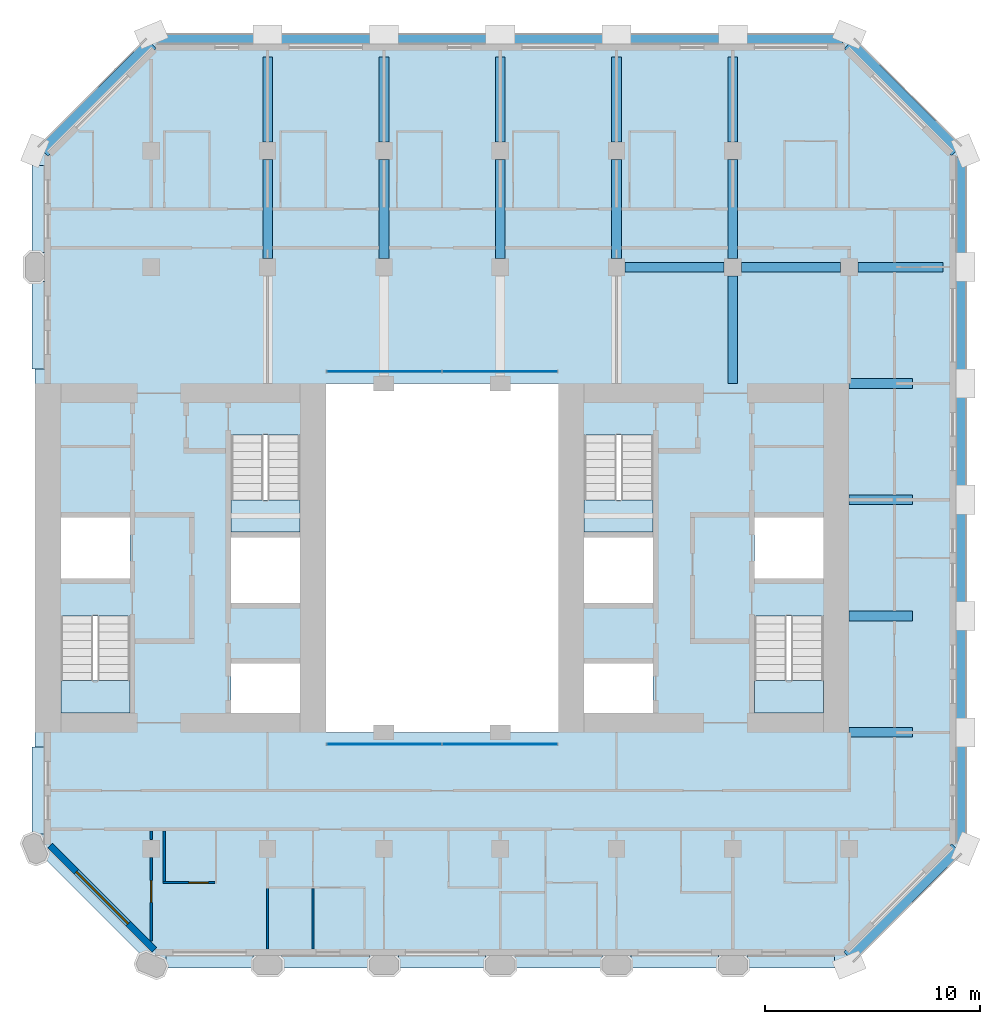
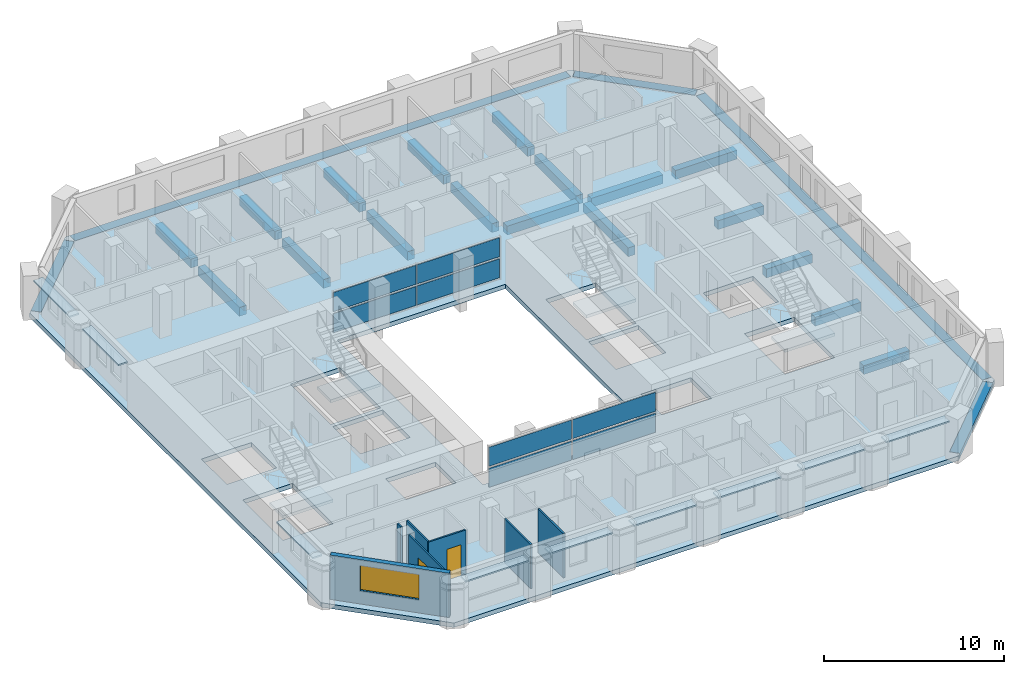
# One storey, part 3 of 12: 23 beams, 17 plates, 7 walls, 5 slabs, 2 doors, 1 window, 3 openings, 6 elements without a shape of their own.
"""IFC4 building model written with IfcOpenShell, lengths in metres."""

from ifc_helpers import new_model, si_unit, direction, frame, frame_2d, origin, origin_2d, place, context, subcontext, project, spatial, polyline, rectangle, outline, extrude, material, layer, layer_set, material_profile, profile_set, type_object, element, fill, aggregate, save


model = new_model("IFC4")

# Units and contexts
model_context = context("Model", 3, precision=1e-05, world=origin(), true_north=direction((0.0, 1.0)))
body_context = subcontext(model_context, "Body", "Model", "MODEL_VIEW")
ifc_project = project(units=[si_unit("LENGTHUNIT", "METRE"), si_unit("AREAUNIT", "SQUARE_METRE"), si_unit("VOLUMEUNIT", "CUBIC_METRE"), si_unit("PLANEANGLEUNIT", "RADIAN"), si_unit("MASSUNIT", "GRAM", prefix="KILO")], contexts=[model_context])

# Site, building, storey
site_placement = place(None, origin())
site = spatial("IfcSite", under=ifc_project, at=site_placement, CompositionType="ELEMENT")
building_placement = place(site_placement, origin())
building = spatial("IfcBuilding", under=site, at=building_placement, Name="Tabaq Tower and Sports Hall", CompositionType="ELEMENT")
storey_placement = place(building_placement, frame((0.0, 0.0, 187.300048828125)))
storey = spatial("IfcBuildingStorey", under=building, at=storey_placement, Name="L45", CompositionType="ELEMENT", Elevation=187.300048828125)

# Beams
ifc_material_1 = material(Name="Concrete C40/50", Category="concrete")
ifc_material_profile_1 = material_profile(ifc_material_1, rectangle(XDim=0.449951171875, YDim=0.60009765625, at=origin_2d()), Name="CB 450x600")
ifc_profile_set_1 = profile_set([ifc_material_profile_1], Name="Concrete C40/50")
beam_type_1 = type_object("IfcBeamType", Name="PT CANTILEVER BEAM CB 450x600 C40/50", PredefinedType="BEAM", material=ifc_profile_set_1)
for number, where, z_axis, x_axis, name in (
    (1, (46.14990234375, 16.199951171875, -0.60009765625), (-1.0, 0.0, 0.0), (0.0, -1.0, 0.0), "Cantilever Beam L45 E3 span 1"),
    (2, (46.14990234375, 21.60009765625, -0.60009765625), (-1.0, 0.0, 0.0), (0.0, -1.0, 0.0), "Cantilever Beam L45 E4 span 1"),
    (3, (46.14990234375, 27.0, -0.60009765625), (-1.0, 0.0, 0.0), (0.0, -1.0, 0.0), "Cantilever Beam L45 E5 span 1"),
    (4, (46.14990234375, 32.39990234375, -0.60009765625), (-1.0, 0.0, 0.0), (0.0, -1.0, 0.0), "Cantilever Beam L45 E6 span 1"),
):
    element("IfcBeam", number, at=place(storey_placement, frame(where, z_axis=z_axis, x_axis=x_axis)), inside=storey, type_object=beam_type_1, Name=name, PredefinedType="BEAM", context=body_context, shape_type="SweptSolid", body=[
        extrude(rectangle(XDim=0.449951171875, YDim=0.60009765625, at=origin_2d()), origin(), (0.0, 0.0, 1.0), 2.949951171875),
    ])
beam_1_placement = place(storey_placement, frame((47.550048828125, 37.800048828125, -0.60009765625), z_axis=(-1.0, 0.0, 0.0), x_axis=(0.0, -1.0, 0.0)))
element("IfcBeam", 5, at=beam_1_placement, inside=storey, type_object=beam_type_1, Name="Cantilever Beam L45 E7 span 1", PredefinedType="BEAM", context=body_context, shape_type="SweptSolid", body=[
    extrude(rectangle(XDim=0.449951171875, YDim=0.60009765625, at=origin_2d()), origin(), (0.0, 0.0, 1.0), 3.949951171875),
])
beam_2_placement = place(storey_placement, frame((42.800048828125, 37.800048828125, -0.60009765625), z_axis=(-1.0, 0.0, 0.0), x_axis=(0.0, -1.0, 0.0)))
element("IfcBeam", 6, at=beam_2_placement, inside=storey, type_object=beam_type_1, Name="Cantilever Beam L45 E7 span 2", PredefinedType="BEAM", context=body_context, shape_type="SweptSolid", body=[
    extrude(rectangle(XDim=0.449951171875, YDim=0.60009765625, at=origin_2d()), origin(), (0.0, 0.0, 1.0), 4.60009765625),
])
beam_3_placement = place(storey_placement, frame((37.39990234375, 37.800048828125, -0.60009765625), z_axis=(-1.0, 0.0, 0.0), x_axis=(0.0, -1.0, 0.0)))
element("IfcBeam", 7, at=beam_3_placement, inside=storey, type_object=beam_type_1, Name="Cantilever Beam L45 E7 span 3", PredefinedType="BEAM", context=body_context, shape_type="SweptSolid", body=[
    extrude(rectangle(XDim=0.449951171875, YDim=0.60009765625, at=origin_2d()), origin(), (0.0, 0.0, 1.0), 4.599853515625),
])
beam_4_placement = place(storey_placement, frame((16.199951171875, 47.550048828125, -0.60009765625), z_axis=(0.0, -1.0, 0.0), x_axis=(1.0, 0.0, 0.0)))
element("IfcBeam", 8, at=beam_4_placement, inside=storey, type_object=beam_type_1, Name="Cantilever Beam L45 N3 span 1", PredefinedType="BEAM", context=body_context, shape_type="SweptSolid", body=[
    extrude(rectangle(XDim=0.449951171875, YDim=0.60009765625, at=origin_2d()), origin(), (0.0, 0.0, 1.0), 3.949951171875),
])
beam_5_placement = place(storey_placement, frame((16.199951171875, 42.800048828125, -0.60009765625), z_axis=(0.0, -1.0, 0.0), x_axis=(1.0, 0.0, 0.0)))
element("IfcBeam", 9, at=beam_5_placement, inside=storey, type_object=beam_type_1, Name="Cantilever Beam L45 N3 span 2", PredefinedType="BEAM", context=body_context, shape_type="SweptSolid", body=[
    extrude(rectangle(XDim=0.449951171875, YDim=0.60009765625, at=origin_2d()), origin(), (0.0, 0.0, 1.0), 4.60009765625),
])
beam_6_placement = place(storey_placement, frame((21.60009765625, 47.550048828125, -0.60009765625), z_axis=(0.0, -1.0, 0.0), x_axis=(1.0, 0.0, 0.0)))
element("IfcBeam", 10, at=beam_6_placement, inside=storey, type_object=beam_type_1, Name="Cantilever Beam L45 N4 span 1", PredefinedType="BEAM", context=body_context, shape_type="SweptSolid", body=[
    extrude(rectangle(XDim=0.449951171875, YDim=0.60009765625, at=origin_2d()), origin(), (0.0, 0.0, 1.0), 3.949951171875),
])
beam_7_placement = place(storey_placement, frame((21.60009765625, 42.800048828125, -0.60009765625), z_axis=(0.0, -1.0, 0.0), x_axis=(1.0, 0.0, 0.0)))
element("IfcBeam", 11, at=beam_7_placement, inside=storey, type_object=beam_type_1, Name="Cantilever Beam L45 N4 span 2", PredefinedType="BEAM", context=body_context, shape_type="SweptSolid", body=[
    extrude(rectangle(XDim=0.449951171875, YDim=0.60009765625, at=origin_2d()), origin(), (0.0, 0.0, 1.0), 4.60009765625),
])
beam_8_placement = place(storey_placement, frame((27.0, 47.550048828125, -0.60009765625), z_axis=(0.0, -1.0, 0.0), x_axis=(1.0, 0.0, 0.0)))
element("IfcBeam", 12, at=beam_8_placement, inside=storey, type_object=beam_type_1, Name="Cantilever Beam L45 N5 span 1", PredefinedType="BEAM", context=body_context, shape_type="SweptSolid", body=[
    extrude(rectangle(XDim=0.449951171875, YDim=0.60009765625, at=origin_2d()), origin(), (0.0, 0.0, 1.0), 3.949951171875),
])
beam_9_placement = place(storey_placement, frame((27.0, 42.800048828125, -0.60009765625), z_axis=(0.0, -1.0, 0.0), x_axis=(1.0, 0.0, 0.0)))
element("IfcBeam", 13, at=beam_9_placement, inside=storey, type_object=beam_type_1, Name="Cantilever Beam L45 N5 span 2", PredefinedType="BEAM", context=body_context, shape_type="SweptSolid", body=[
    extrude(rectangle(XDim=0.449951171875, YDim=0.60009765625, at=origin_2d()), origin(), (0.0, 0.0, 1.0), 4.60009765625),
])
beam_10_placement = place(storey_placement, frame((32.39990234375, 47.550048828125, -0.60009765625), z_axis=(0.0, -1.0, 0.0), x_axis=(1.0, 0.0, 0.0)))
element("IfcBeam", 14, at=beam_10_placement, inside=storey, type_object=beam_type_1, Name="Cantilever Beam L45 N6 span 1", PredefinedType="BEAM", context=body_context, shape_type="SweptSolid", body=[
    extrude(rectangle(XDim=0.449951171875, YDim=0.60009765625, at=origin_2d()), origin(), (0.0, 0.0, 1.0), 3.949951171875),
])
beam_11_placement = place(storey_placement, frame((32.39990234375, 42.800048828125, -0.60009765625), z_axis=(0.0, -1.0, 0.0), x_axis=(1.0, 0.0, 0.0)))
element("IfcBeam", 15, at=beam_11_placement, inside=storey, type_object=beam_type_1, Name="Cantilever Beam L45 N6 span 2", PredefinedType="BEAM", context=body_context, shape_type="SweptSolid", body=[
    extrude(rectangle(XDim=0.449951171875, YDim=0.60009765625, at=origin_2d()), origin(), (0.0, 0.0, 1.0), 4.60009765625),
])
beam_12_placement = place(storey_placement, frame((37.800048828125, 47.550048828125, -0.60009765625), z_axis=(0.0, -1.0, 0.0), x_axis=(1.0, 0.0, 0.0)))
element("IfcBeam", 16, at=beam_12_placement, inside=storey, type_object=beam_type_1, Name="Cantilever Beam L45 N7 span 1", PredefinedType="BEAM", context=body_context, shape_type="SweptSolid", body=[
    extrude(rectangle(XDim=0.449951171875, YDim=0.60009765625, at=origin_2d()), origin(), (0.0, 0.0, 1.0), 3.949951171875),
])
beam_13_placement = place(storey_placement, frame((37.800048828125, 42.800048828125, -0.60009765625), z_axis=(0.0, -1.0, 0.0), x_axis=(1.0, 0.0, 0.0)))
element("IfcBeam", 17, at=beam_13_placement, inside=storey, type_object=beam_type_1, Name="Cantilever Beam L45 N7 span 2", PredefinedType="BEAM", context=body_context, shape_type="SweptSolid", body=[
    extrude(rectangle(XDim=0.449951171875, YDim=0.60009765625, at=origin_2d()), origin(), (0.0, 0.0, 1.0), 4.60009765625),
])
beam_14_placement = place(storey_placement, frame((37.800048828125, 37.39990234375, -0.60009765625), z_axis=(0.0, -1.0, 0.0), x_axis=(1.0, 0.0, 0.0)))
element("IfcBeam", 18, at=beam_14_placement, inside=storey, type_object=beam_type_1, Name="Cantilever Beam L45 N7 span 3", PredefinedType="BEAM", context=body_context, shape_type="SweptSolid", body=[
    extrude(rectangle(XDim=0.449951171875, YDim=0.60009765625, at=origin_2d()), origin(), (0.0, 0.0, 1.0), 5.0),
])
ifc_material_2 = material(Name="Concrete C40/50", Category="concrete")
ifc_material_profile_2 = material_profile(ifc_material_2, rectangle(XDim=0.60009765625, YDim=0.300048828125, at=origin_2d()), Name="EB 600x300")
ifc_profile_set_2 = profile_set([ifc_material_profile_2], Name="Concrete C40/50")
beam_type_2 = type_object("IfcBeamType", Name="PT EDGE BEAM EB 600x300 C40/50", PredefinedType="SPANDREL", material=ifc_profile_set_2)
beam_15_placement = place(storey_placement, frame((43.16455078125, 5.788818359375, -0.150146484375), z_axis=(0.707106781187, 0.707106781187, 0.0), x_axis=(-0.707106781187, 0.707106781187, 0.0)))
element("IfcBeam", 19, at=beam_15_placement, inside=storey, type_object=beam_type_2, Name="Edge Beam L45 1", PredefinedType="SPANDREL", context=body_context, shape_type="SweptSolid", body=[
    extrude(rectangle(XDim=0.60009765625, YDim=0.300048828125, at=origin_2d()), origin(), (0.0, 0.0, 1.0), 7.08837890625),
])
beam_16_placement = place(storey_placement, frame((48.300048828125, 11.0986328125, -0.150146484375), z_axis=(0.0, 1.0, 0.0), x_axis=(-1.0, 0.0, 0.0)))
element("IfcBeam", 20, at=beam_16_placement, inside=storey, type_object=beam_type_2, Name="Edge Beam L45 2", PredefinedType="SPANDREL", context=body_context, shape_type="SweptSolid", body=[
    extrude(rectangle(XDim=0.60009765625, YDim=0.300048828125, at=origin_2d()), origin(), (0.0, 0.0, 1.0), 31.802734375),
])
beam_17_placement = place(storey_placement, frame((48.1767578125, 43.198974609375, -0.150146484375), z_axis=(-0.707106781187, 0.707106781187, 0.0), x_axis=(-0.707106781187, -0.707106781187, 0.0)))
element("IfcBeam", 21, at=beam_17_placement, inside=storey, type_object=beam_type_2, Name="Edge Beam L45 3", PredefinedType="SPANDREL", context=body_context, shape_type="SweptSolid", body=[
    extrude(rectangle(XDim=0.60009765625, YDim=0.300048828125, at=origin_2d()), origin(), (0.0, 0.0, 1.0), 7.03955078125),
])
beam_18_placement = place(storey_placement, frame((42.9013671875, 48.300048828125, -0.150146484375), z_axis=(-1.0, 0.0, 0.0), x_axis=(0.0, -1.0, 0.0)))
element("IfcBeam", 22, at=beam_18_placement, inside=storey, type_object=beam_type_2, Name="Edge Beam L45 4", PredefinedType="SPANDREL", context=body_context, shape_type="SweptSolid", body=[
    extrude(rectangle(XDim=0.60009765625, YDim=0.300048828125, at=origin_2d()), origin(), (0.0, 0.0, 1.0), 31.802734375),
])
beam_19_placement = place(storey_placement, frame((10.801025390625, 48.1767578125, -0.150146484375), z_axis=(-0.707106781187, -0.707106781187, 0.0), x_axis=(0.707106781187, -0.707106781187, 0.0)))
element("IfcBeam", 23, at=beam_19_placement, inside=storey, type_object=beam_type_2, Name="Edge Beam L45 5", PredefinedType="SPANDREL", context=body_context, shape_type="SweptSolid", body=[
    extrude(rectangle(XDim=0.60009765625, YDim=0.300048828125, at=origin_2d()), origin(), (0.0, 0.0, 1.0), 7.08837890625),
])

# Curtain wall, plates
ifc_material_3 = material(Name="Aluminium alloy 6063-T6 framed glazing", Category="aluminium")
curtain_wall_type = type_object("IfcCurtainWallType", Name="CW1 curtain wall", PredefinedType="USERDEFINED", material=ifc_material_3)
curtain_wall_1_placement = place(storey_placement, origin())
curtain_wall_1 = element("IfcCurtainWall", 24, at=curtain_wall_1_placement, inside=storey, type_object=curtain_wall_type, Name="Atrium glazing L45 S", ObjectType="ATRIUM ENCLOSURE", PredefinedType="USERDEFINED")
ifc_material_4 = material(Name="Clear low-emissivity glass 28 mm", Category="glass")
ifc_layer_1 = layer(ifc_material_4, 0.028076171875)
ifc_layer_set_1 = layer_set([ifc_layer_1], Name="CW1 glass panel 28")
plate_type_1 = type_object("IfcPlateType", Name="CW1 glass panel 28", PredefinedType="CURTAIN_PANEL", material=ifc_layer_set_1)
plate_1_placement = place(storey_placement, frame((21.614990234375, 15.64990234375, 0.139892578125), z_axis=(0.0, 0.0, 1.0), x_axis=(1.0, 0.0, 0.0)))
plate_1 = element("IfcPlate", 25, at=plate_1_placement, type_object=plate_type_1, Name="CW1 panel 1.1", PredefinedType="CURTAIN_PANEL", context=body_context, shape_type="SweptSolid", body=[
    extrude(rectangle(XDim=5.31005859375, YDim=0.028076171875, at=origin_2d()), origin(), (0.0, 0.0, 1.0), 1.2900390625),
])
plate_2_placement = place(storey_placement, frame((21.614990234375, 15.64990234375, 1.56982421875), z_axis=(0.0, 0.0, 1.0), x_axis=(1.0, 0.0, 0.0)))
plate_2 = element("IfcPlate", 26, at=plate_2_placement, type_object=plate_type_1, Name="CW1 panel 1.2", PredefinedType="CURTAIN_PANEL", context=body_context, shape_type="SweptSolid", body=[
    extrude(rectangle(XDim=5.31005859375, YDim=0.028076171875, at=origin_2d()), origin(), (0.0, 0.0, 1.0), 1.2900390625),
])
plate_3_placement = place(storey_placement, frame((26.985107421875, 15.64990234375, 0.139892578125), z_axis=(0.0, 0.0, 1.0), x_axis=(1.0, 0.0, 0.0)))
plate_3 = element("IfcPlate", 27, at=plate_3_placement, type_object=plate_type_1, Name="CW1 panel 2.1", PredefinedType="CURTAIN_PANEL", context=body_context, shape_type="SweptSolid", body=[
    extrude(rectangle(XDim=5.31005859375, YDim=0.028076171875, at=origin_2d()), origin(), (0.0, 0.0, 1.0), 1.2900390625),
])
plate_4_placement = place(storey_placement, frame((26.985107421875, 15.64990234375, 1.56982421875), z_axis=(0.0, 0.0, 1.0), x_axis=(1.0, 0.0, 0.0)))
plate_4 = element("IfcPlate", 28, at=plate_4_placement, type_object=plate_type_1, Name="CW1 panel 2.2", PredefinedType="CURTAIN_PANEL", context=body_context, shape_type="SweptSolid", body=[
    extrude(rectangle(XDim=5.31005859375, YDim=0.028076171875, at=origin_2d()), origin(), (0.0, 0.0, 1.0), 1.2900390625),
])
aggregate(curtain_wall_1, [plate_1, plate_2, plate_3, plate_4])

curtain_wall_2_placement = place(storey_placement, origin())
curtain_wall_2 = element("IfcCurtainWall", 29, at=curtain_wall_2_placement, inside=storey, type_object=curtain_wall_type, Name="Atrium glazing L45 N", ObjectType="ATRIUM ENCLOSURE", PredefinedType="USERDEFINED")
plate_5_placement = place(storey_placement, frame((21.614990234375, 32.949951171875, 0.139892578125), z_axis=(0.0, 0.0, 1.0), x_axis=(1.0, 0.0, 0.0)))
plate_5 = element("IfcPlate", 30, at=plate_5_placement, type_object=plate_type_1, Name="CW1 panel 1.1", PredefinedType="CURTAIN_PANEL", context=body_context, shape_type="SweptSolid", body=[
    extrude(rectangle(XDim=5.31005859375, YDim=0.028076171875, at=origin_2d()), origin(), (0.0, 0.0, 1.0), 1.2900390625),
])
plate_6_placement = place(storey_placement, frame((21.614990234375, 32.949951171875, 1.56982421875), z_axis=(0.0, 0.0, 1.0), x_axis=(1.0, 0.0, 0.0)))
plate_6 = element("IfcPlate", 31, at=plate_6_placement, type_object=plate_type_1, Name="CW1 panel 1.2", PredefinedType="CURTAIN_PANEL", context=body_context, shape_type="SweptSolid", body=[
    extrude(rectangle(XDim=5.31005859375, YDim=0.028076171875, at=origin_2d()), origin(), (0.0, 0.0, 1.0), 1.2900390625),
])
plate_7_placement = place(storey_placement, frame((26.985107421875, 32.949951171875, 0.139892578125), z_axis=(0.0, 0.0, 1.0), x_axis=(1.0, 0.0, 0.0)))
plate_7 = element("IfcPlate", 32, at=plate_7_placement, type_object=plate_type_1, Name="CW1 panel 2.1", PredefinedType="CURTAIN_PANEL", context=body_context, shape_type="SweptSolid", body=[
    extrude(rectangle(XDim=5.31005859375, YDim=0.028076171875, at=origin_2d()), origin(), (0.0, 0.0, 1.0), 1.2900390625),
])
plate_8_placement = place(storey_placement, frame((26.985107421875, 32.949951171875, 1.56982421875), z_axis=(0.0, 0.0, 1.0), x_axis=(1.0, 0.0, 0.0)))
plate_8 = element("IfcPlate", 33, at=plate_8_placement, type_object=plate_type_1, Name="CW1 panel 2.2", PredefinedType="CURTAIN_PANEL", context=body_context, shape_type="SweptSolid", body=[
    extrude(rectangle(XDim=5.31005859375, YDim=0.028076171875, at=origin_2d()), origin(), (0.0, 0.0, 1.0), 1.2900390625),
])
aggregate(curtain_wall_2, [plate_5, plate_6, plate_7, plate_8])

# Stair, slab
ifc_material_5 = material(Name="Concrete C40/50", Category="concrete")
stair_type = type_object("IfcStairType", Name="Exit stair", PredefinedType="HALF_TURN_STAIR", material=ifc_material_5)
stair_1_placement = place(storey_placement, origin())
stair_1 = element("IfcStair", 34, at=stair_1_placement, inside=storey, type_object=stair_type, Name="L45 Exit stair ST1", PredefinedType="HALF_TURN_STAIR")
ifc_material_6 = material(Name="Concrete C40/50", Category="concrete")
ifc_layer_2 = layer(ifc_material_6, 0.199951171875)
ifc_layer_set_2 = layer_set([ifc_layer_2], Name="Exit stair landing")
slab_type_1 = type_object("IfcSlabType", Name="Exit stair landing", PredefinedType="LANDING", material=ifc_layer_set_2)
slab_1_placement = place(storey_placement, frame((0.0, 0.0, 1.449951171875)))
slab_1 = element("IfcSlab", 35, at=slab_1_placement, type_object=slab_type_1, Name="ST1 landing 1", PredefinedType="LANDING", context=body_context, shape_type="SweptSolid", body=[
    extrude(outline(polyline([(6.60009765625, 18.60009765625), (6.60009765625, 17.10009765625), (9.800048828125, 17.10009765625), (9.800048828125, 18.60009765625), (6.60009765625, 18.60009765625)])), origin(), (0.0, 0.0, 1.0), 0.199951171875),
])
aggregate(stair_1, [slab_1])

stair_2_placement = place(storey_placement, origin())
stair_2 = element("IfcStair", 36, at=stair_2_placement, inside=storey, type_object=stair_type, Name="L45 Exit stair ST2", PredefinedType="HALF_TURN_STAIR")
slab_2_placement = place(storey_placement, frame((0.0, 0.0, 1.449951171875)))
slab_2 = element("IfcSlab", 37, at=slab_2_placement, type_object=slab_type_1, Name="ST2 landing 1", PredefinedType="LANDING", context=body_context, shape_type="SweptSolid", body=[
    extrude(outline(polyline([(14.5, 27.0), (14.5, 25.5), (17.699951171875, 25.5), (17.699951171875, 27.0), (14.5, 27.0)])), origin(), (0.0, 0.0, 1.0), 0.199951171875),
])
aggregate(stair_2, [slab_2])

stair_3_placement = place(storey_placement, origin())
stair_3 = element("IfcStair", 38, at=stair_3_placement, inside=storey, type_object=stair_type, Name="L45 Exit stair ST3", PredefinedType="HALF_TURN_STAIR")
slab_3_placement = place(storey_placement, frame((0.0, 0.0, 1.449951171875)))
slab_3 = element("IfcSlab", 39, at=slab_3_placement, type_object=slab_type_1, Name="ST3 landing 1", PredefinedType="LANDING", context=body_context, shape_type="SweptSolid", body=[
    extrude(outline(polyline([(38.800048828125, 18.60009765625), (38.800048828125, 17.10009765625), (42.0, 17.10009765625), (42.0, 18.60009765625), (38.800048828125, 18.60009765625)])), origin(), (0.0, 0.0, 1.0), 0.199951171875),
])
aggregate(stair_3, [slab_3])

stair_4_placement = place(storey_placement, origin())
stair_4 = element("IfcStair", 40, at=stair_4_placement, inside=storey, type_object=stair_type, Name="L45 Exit stair ST4", PredefinedType="HALF_TURN_STAIR")
slab_4_placement = place(storey_placement, frame((0.0, 0.0, 1.449951171875)))
slab_4 = element("IfcSlab", 41, at=slab_4_placement, type_object=slab_type_1, Name="ST4 landing 1", PredefinedType="LANDING", context=body_context, shape_type="SweptSolid", body=[
    extrude(outline(polyline([(30.89990234375, 27.0), (30.89990234375, 25.5), (34.10009765625, 25.5), (34.10009765625, 27.0), (30.89990234375, 27.0)])), origin(), (0.0, 0.0, 1.0), 0.199951171875),
])
aggregate(stair_4, [slab_4])

# Slab
ifc_material_7 = material(Name="Concrete C40/50", Category="concrete")
ifc_layer_3 = layer(ifc_material_7, 0.300048828125)
ifc_layer_set_3 = layer_set([ifc_layer_3], Name="PT FLOOR SLAB 300 C40/50")
slab_type_2 = type_object("IfcSlabType", Name="PT FLOOR SLAB 300 C40/50", PredefinedType="FLOOR", material=ifc_layer_set_3)
slab_5_placement = place(storey_placement, frame((0.0, 0.0, -0.300048828125)))
element("IfcSlab", 42, at=slab_5_placement, inside=storey, type_object=slab_type_2, Name="Floor Slab L45", PredefinedType="FLOOR", context=body_context, shape_type="SweptSolid", body=[
    extrude(outline(polyline([(5.39990234375, 43.199951171875), (5.39990234375, 10.800048828125), (10.800048828125, 5.39990234375), (43.199951171875, 5.39990234375), (43.376708984375, 5.57666015625), (42.952392578125, 6.0009765625), (47.964599609375, 11.01318359375), (48.035400390625, 10.9423828125), (48.388916015625, 10.5888671875), (48.60009765625, 10.800048828125), (48.60009765625, 11.0986328125), (48.10009765625, 11.0986328125), (48.0, 11.0986328125), (48.0, 42.9013671875), (48.10009765625, 42.9013671875), (48.60009765625, 42.9013671875), (48.60009765625, 43.199951171875), (48.388916015625, 43.4111328125), (48.035400390625, 43.0576171875), (47.964599609375, 42.98681640625), (42.98681640625, 47.964599609375), (43.0576171875, 48.035400390625), (43.4111328125, 48.388916015625), (43.199951171875, 48.60009765625), (42.9013671875, 48.60009765625), (42.9013671875, 48.10009765625), (42.9013671875, 48.0), (11.0986328125, 48.0), (11.0986328125, 48.10009765625), (11.0986328125, 48.60009765625), (10.800048828125, 48.60009765625), (10.5888671875, 48.388916015625), (10.9423828125, 48.035400390625), (11.01318359375, 47.964599609375), (6.0009765625, 42.952392578125), (5.57666015625, 43.376708984375), (5.39990234375, 43.199951171875)]), holes=[polyline([(14.5, 19.39990234375), (17.699951171875, 19.39990234375), (17.699951171875, 17.10009765625), (14.5, 17.10009765625), (14.5, 19.39990234375)]), polyline([(6.60009765625, 21.599365234375), (9.800048828125, 21.599365234375), (9.800048828125, 17.10009765625), (6.60009765625, 17.10009765625), (6.60009765625, 21.599365234375)]), polyline([(14.5, 25.25), (17.699951171875, 25.25), (17.699951171875, 22.199951171875), (14.5, 22.199951171875), (14.5, 25.25)]), polyline([(18.89990234375, 32.39990234375), (29.699951171875, 32.39990234375), (29.699951171875, 16.199951171875), (18.89990234375, 16.199951171875), (18.89990234375, 32.39990234375)]), polyline([(9.800048828125, 26.175048828125), (9.800048828125, 23.35009765625), (6.60009765625, 23.35009765625), (6.60009765625, 26.175048828125), (9.800048828125, 26.175048828125)]), polyline([(14.5, 29.99951171875), (17.699951171875, 29.99951171875), (17.699951171875, 25.5), (14.5, 25.5), (14.5, 29.99951171875)]), polyline([(34.10009765625, 19.39990234375), (34.10009765625, 17.10009765625), (30.89990234375, 17.10009765625), (30.89990234375, 19.39990234375), (34.10009765625, 19.39990234375)]), polyline([(42.0, 21.599365234375), (42.0, 17.10009765625), (38.800048828125, 17.10009765625), (38.800048828125, 21.599365234375), (42.0, 21.599365234375)]), polyline([(30.89990234375, 25.25), (34.10009765625, 25.25), (34.10009765625, 22.199951171875), (30.89990234375, 22.199951171875), (30.89990234375, 25.25)]), polyline([(42.0, 26.175048828125), (42.0, 23.35009765625), (38.800048828125, 23.35009765625), (38.800048828125, 26.175048828125), (42.0, 26.175048828125)]), polyline([(34.10009765625, 29.99951171875), (34.10009765625, 25.5), (30.89990234375, 25.5), (30.89990234375, 29.99951171875), (34.10009765625, 29.99951171875)])]), origin(), (0.0, 0.0, 1.0), 0.300048828125),
])

# Plates
ifc_material_8 = material(Name="White precast concrete C60/75 blade", Category="concrete")
ifc_layer_4 = layer(ifc_material_8, 0.10009765625)
ifc_layer_set_4 = layer_set([ifc_layer_4], Name="White precast concrete C60/75 sunshade 100")
plate_type_2 = type_object("IfcPlateType", Name="White precast concrete C60/75 sunshade 100", PredefinedType="USERDEFINED", material=ifc_layer_set_4)
for number, where, z_axis, x_axis, name in (
    (43, (13.5, 5.550048828125, 2.599853515625), (0.0, 0.0, 1.0), (1.0, 0.0, 0.0), "Sunshade L45 S"),
    (44, (18.89990234375, 5.550048828125, 2.599853515625), (0.0, 0.0, 1.0), (1.0, 0.0, 0.0), "Sunshade L45 S"),
    (45, (24.300048828125, 5.550048828125, 2.599853515625), (0.0, 0.0, 1.0), (1.0, 0.0, 0.0), "Sunshade L45 S"),
    (46, (29.699951171875, 5.550048828125, 2.599853515625), (0.0, 0.0, 1.0), (1.0, 0.0, 0.0), "Sunshade L45 S"),
    (47, (35.10009765625, 5.550048828125, 2.599853515625), (0.0, 0.0, 1.0), (1.0, 0.0, 0.0), "Sunshade L45 S"),
    (48, (40.5, 5.550048828125, 2.599853515625), (0.0, 0.0, 1.0), (1.0, 0.0, 0.0), "Sunshade L45 S"),
    (49, (5.550048828125, 40.5, 2.599853515625), (0.0, 0.0, 1.0), (0.0, -1.0, 0.0), "Sunshade L45 W"),
    (50, (5.550048828125, 35.10009765625, 2.599853515625), (0.0, 0.0, 1.0), (0.0, -1.0, 0.0), "Sunshade L45 W"),
    (51, (5.550048828125, 13.5, 2.599853515625), (0.0, 0.0, 1.0), (0.0, -1.0, 0.0), "Sunshade L45 W"),
):
    element("IfcPlate", number, at=place(storey_placement, frame(where, z_axis=z_axis, x_axis=x_axis)), inside=storey, type_object=plate_type_2, Name=name, ObjectType="SUNSHADE", PredefinedType="USERDEFINED", context=body_context, shape_type="SweptSolid", body=[
        extrude(rectangle(XDim=4.050048828125, YDim=0.60009765625, at=origin_2d()), origin(), (0.0, 0.0, 1.0), 0.10009765625),
    ])

# Wall
ifc_material_9 = material(Name="Gypsum board on steel studs", Category="steel")
ifc_layer_5 = layer(ifc_material_9, 0.10009765625)
ifc_layer_set_5 = layer_set([ifc_layer_5], Name="Partition 100 Gypsum board")
wall_type_1 = type_object("IfcWallType", Name="Partition 100 Gypsum board", PredefinedType="PARTITIONING", material=ifc_layer_set_5)
wall_1_placement = place(storey_placement, frame((16.199951171875, 6.15087890625, 0.0), z_axis=(0.0, 0.0, 1.0), x_axis=(0.0, 1.0, 0.0)))
element("IfcWall", 52, at=wall_1_placement, inside=storey, type_object=wall_type_1, Name="Partition wall L45", PredefinedType="PARTITIONING", context=body_context, shape_type="SweptSolid", body=[
    extrude(rectangle(XDim=2.899169921875, YDim=0.10009765625, at=frame_2d((1.44970703125, 0.0))), origin(), (0.0, 0.0, 1.0), 3.0),
])

# Wall, opening, door
wall_2_placement = place(storey_placement, frame((13.75, 9.22509765625, 0.0), z_axis=(0.0, 0.0, 1.0), x_axis=(-1.0, 0.0, 0.0)))
wall_2 = element("IfcWall", 53, at=wall_2_placement, inside=storey, type_object=wall_type_1, Name="Partition wall L45", PredefinedType="PARTITIONING", context=body_context, shape_type="SweptSolid", body=[
    extrude(rectangle(XDim=2.39990234375, YDim=0.10009765625, at=frame_2d((1.199951171875, 0.0))), origin(), (0.0, 0.0, 1.0), 3.0),
])
opening_1_placement = place(wall_2_placement, frame((0.300048828125, 0.0, 0.0)))
opening_1 = element("IfcOpeningElement", 54, at=opening_1_placement, cuts=wall_2, Name="Opening L45-012", PredefinedType="OPENING", context=body_context, shape_type="SweptSolid", body=[
    extrude(rectangle(XDim=0.89990234375, YDim=2.10009765625, at=frame_2d((0.449951171875, 1.050048828125))), frame((0.0, 0.050048828125, 0.0), z_axis=(0.0, -1.0, 0.0), x_axis=(1.0, 0.0, 0.0)), (0.0, 0.0, 1.0), 0.10009765625),
])
ifc_material_10 = material(Name="Timber leaf in steel frame", Category="steel")
door_type_1 = type_object("IfcDoorType", Name="Internal door 900 right hand", OperationType="SINGLE_SWING_RIGHT", PredefinedType="DOOR", material=ifc_material_10)
door_1_placement = place(opening_1_placement, origin())
door_1 = element("IfcDoor", 55, at=door_1_placement, inside=storey, type_object=door_type_1, Name="Internal door L45-012", OperationType="SINGLE_SWING_RIGHT", OverallHeight=2.10009765625, OverallWidth=0.89990234375, PredefinedType="DOOR", context=body_context, shape_type="SweptSolid", body=[
    extrude(rectangle(XDim=0.89990234375, YDim=2.10009765625, at=frame_2d((0.449951171875, 1.050048828125))), frame((0.0, 0.02490234375, 0.0), z_axis=(0.0, -1.0, 0.0), x_axis=(1.0, 0.0, 0.0)), (0.0, 0.0, 1.0), 0.050048828125),
])
fill(opening_1, door_1)

# Walls
wall_3_placement = place(storey_placement, frame((11.39990234375, 9.27490234375, 0.0), z_axis=(0.0, 0.0, 1.0), x_axis=(0.0, 1.0, 0.0)))
element("IfcWall", 56, at=wall_3_placement, inside=storey, type_object=wall_type_1, Name="Partition wall L45", PredefinedType="PARTITIONING", context=body_context, shape_type="SweptSolid", body=[
    extrude(rectangle(XDim=2.35009765625, YDim=0.10009765625, at=frame_2d((1.175048828125, 0.0))), origin(), (0.0, 0.0, 1.0), 3.0),
])
wall_4_placement = place(storey_placement, frame((10.800048828125, 11.625, 0.0), z_axis=(0.0, 0.0, 1.0), x_axis=(0.0, -1.0, 0.0)))
element("IfcWall", 57, at=wall_4_placement, inside=storey, type_object=wall_type_1, Name="Partition wall L45", PredefinedType="PARTITIONING", context=body_context, shape_type="SweptSolid", body=[
    extrude(rectangle(XDim=0.405029296875, YDim=0.10009765625, at=frame_2d((0.20263671875, 0.0))), origin(), (0.0, 0.0, 1.0), 3.0),
])

# Wall, opening, door
wall_5_placement = place(storey_placement, frame((10.800048828125, 10.3798828125, 0.0), z_axis=(0.0, 0.0, 1.0), x_axis=(0.0, -1.0, 0.0)))
wall_5 = element("IfcWall", 58, at=wall_5_placement, inside=storey, type_object=wall_type_1, Name="Partition wall L45", PredefinedType="PARTITIONING", context=body_context, shape_type="SweptSolid", body=[
    extrude(rectangle(XDim=3.86767578125, YDim=0.10009765625, at=frame_2d((1.933837890625, 0.0))), origin(), (0.0, 0.0, 1.0), 3.0),
])
opening_2_placement = place(wall_5_placement, frame((1.0673828125, 0.0, 0.0)))
opening_2 = element("IfcOpeningElement", 59, at=opening_2_placement, cuts=wall_5, Name="Opening L45-033", PredefinedType="OPENING", context=body_context, shape_type="SweptSolid", body=[
    extrude(rectangle(XDim=1.0, YDim=2.10009765625, at=frame_2d((0.5, 1.050048828125))), frame((0.0, 0.050048828125, 0.0), z_axis=(0.0, -1.0, 0.0), x_axis=(1.0, 0.0, 0.0)), (0.0, 0.0, 1.0), 0.10009765625),
])
ifc_material_11 = material(Name="Timber leaf in steel frame", Category="steel")
door_type_2 = type_object("IfcDoorType", Name="Internal door 1000 right hand", OperationType="SINGLE_SWING_RIGHT", PredefinedType="DOOR", material=ifc_material_11)
door_2_placement = place(opening_2_placement, origin())
door_2 = element("IfcDoor", 60, at=door_2_placement, inside=storey, type_object=door_type_2, Name="Internal door L45-033", OperationType="SINGLE_SWING_RIGHT", OverallHeight=2.10009765625, OverallWidth=1.0, PredefinedType="DOOR", context=body_context, shape_type="SweptSolid", body=[
    extrude(rectangle(XDim=1.0, YDim=2.10009765625, at=frame_2d((0.5, 1.050048828125))), frame((0.0, 0.02490234375, 0.0), z_axis=(0.0, -1.0, 0.0), x_axis=(1.0, 0.0, 0.0)), (0.0, 0.0, 1.0), 0.050048828125),
])
fill(opening_2, door_2)

# Wall
wall_6_placement = place(storey_placement, frame((18.300048828125, 8.949951171875, 0.0), z_axis=(0.0, 0.0, 1.0), x_axis=(0.0, -1.0, 0.0)))
element("IfcWall", 61, at=wall_6_placement, inside=storey, type_object=wall_type_1, Name="Partition wall L45", PredefinedType="PARTITIONING", context=body_context, shape_type="SweptSolid", body=[
    extrude(rectangle(XDim=2.799072265625, YDim=0.10009765625, at=frame_2d((1.3994140625, 0.0))), origin(), (0.0, 0.0, 1.0), 3.0),
])

# Wall, opening, window
ifc_material_12 = material(Name="White precast concrete C60/75", Category="concrete")
ifc_layer_6 = layer(ifc_material_12, 0.300048828125)
ifc_layer_set_6 = layer_set([ifc_layer_6], Name="White precast concrete C60/75 external wall 300")
wall_type_2 = type_object("IfcWallType", Name="White precast concrete C60/75 external wall 300", PredefinedType="SOLIDWALL", material=ifc_layer_set_6)
wall_7_placement = place(storey_placement, frame((6.098876953125, 10.949462890625, 0.0), z_axis=(0.0, 0.0, 1.0), x_axis=(0.707106781187, -0.707106781187, 0.0)))
wall_7 = element("IfcWall", 62, at=wall_7_placement, inside=storey, type_object=wall_type_2, Name="External Wall L45 SW", PredefinedType="SOLIDWALL", context=body_context, shape_type="SweptSolid", body=[
    extrude(rectangle(XDim=6.85986328125, YDim=0.300048828125, at=frame_2d((3.429931640625, 0.0))), origin(), (0.0, 0.0, 1.0), 3.0),
])
opening_3_placement = place(wall_7_placement, frame((1.729736328125, 0.0, 0.89990234375)))
opening_3 = element("IfcOpeningElement", 63, at=opening_3_placement, cuts=wall_7, Name="Opening W1A", PredefinedType="OPENING", context=body_context, shape_type="SweptSolid", body=[
    extrude(rectangle(XDim=3.39990234375, YDim=1.699951171875, at=frame_2d((1.699951171875, 0.85009765625))), frame((0.0, 0.16015625, 0.0), z_axis=(0.0, -1.0, 0.0), x_axis=(1.0, 0.0, 0.0)), (0.0, 0.0, 1.0), 0.320068359375),
])
ifc_material_13 = material(Name="Aluminium framed clear glazing", Category="aluminium")
window_type = type_object("IfcWindowType", Name="Window W1A", PartitioningType="SINGLE_PANEL", PredefinedType="WINDOW", material=ifc_material_13)
window_placement = place(opening_3_placement, origin())
window = element("IfcWindow", 64, at=window_placement, inside=storey, type_object=window_type, Name="Window W1A L45", OverallHeight=1.699951171875, OverallWidth=3.39990234375, PartitioningType="SINGLE_PANEL", PredefinedType="WINDOW", context=body_context, shape_type="SweptSolid", body=[
    extrude(rectangle(XDim=3.39990234375, YDim=1.699951171875, at=frame_2d((1.699951171875, 0.85009765625))), frame((0.0, 0.030029296875, 0.0), z_axis=(0.0, -1.0, 0.0), x_axis=(1.0, 0.0, 0.0)), (0.0, 0.0, 1.0), 0.06005859375),
])
fill(opening_3, window)

save(model, "model.ifc")
